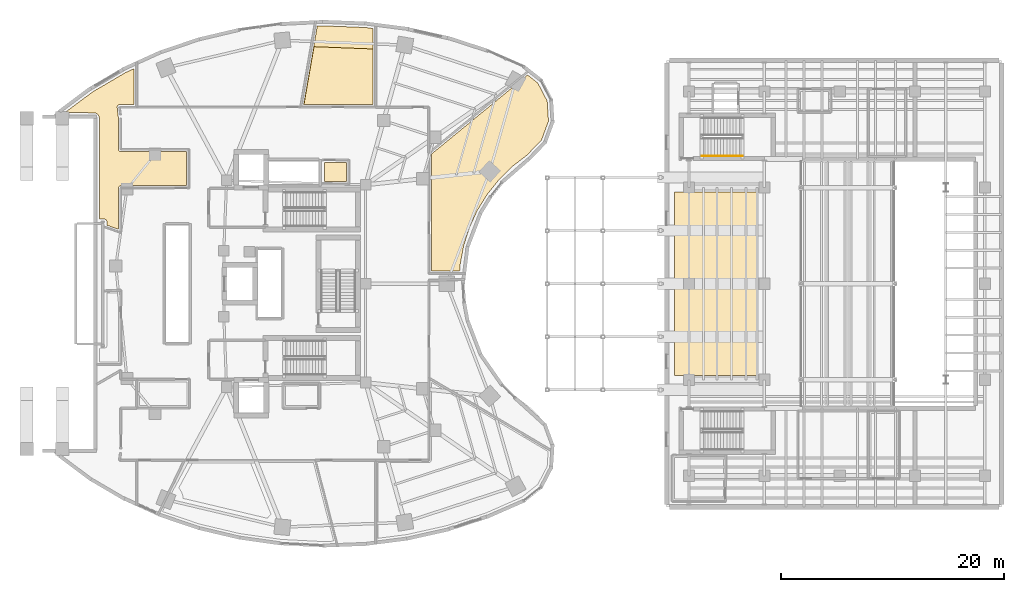
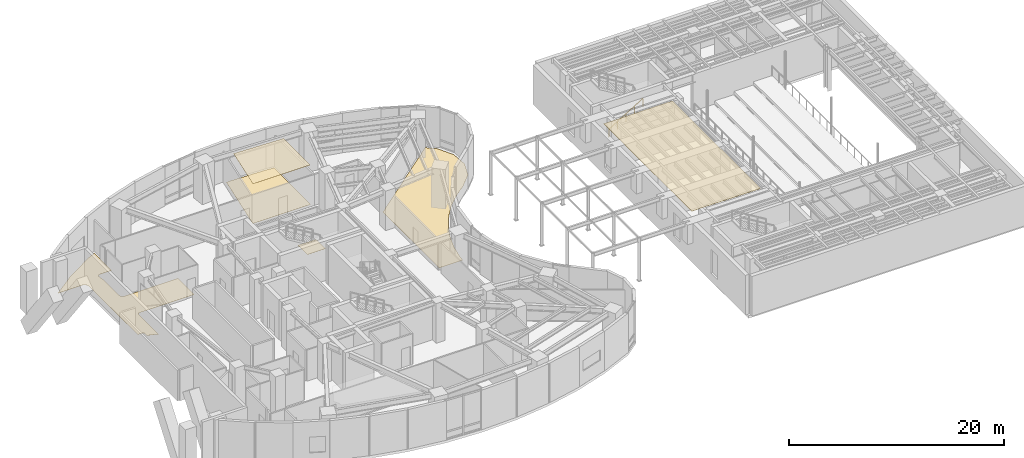
# One storey, part 23 of 24: 6 coverings, 1 railing.
"""IFC4 building model written with IfcOpenShell, lengths in metres."""

from ifc_helpers import new_model, si_unit, direction, frame, origin, origin_2d, place, context, subcontext, project, spatial, polyline, rectangle, outline, extrude, material, layer, layer_set, type_object, element, save


model = new_model("IFC4")

# Units and contexts
model_context = context("Model", 3, precision=1e-05, world=origin(), true_north=direction((0.0, 1.0)))
body_context = subcontext(model_context, "Body", "Model", "MODEL_VIEW")
ifc_project = project(units=[si_unit("LENGTHUNIT", "METRE"), si_unit("AREAUNIT", "SQUARE_METRE"), si_unit("VOLUMEUNIT", "CUBIC_METRE"), si_unit("PLANEANGLEUNIT", "RADIAN"), si_unit("MASSUNIT", "GRAM", prefix="KILO")], contexts=[model_context])

# Site, building, storey
site_placement = place(None, origin())
site = spatial("IfcSite", under=ifc_project, at=site_placement, CompositionType="ELEMENT")
building_placement = place(site_placement, origin())
building = spatial("IfcBuilding", under=site, at=building_placement, Name="Korentha Bioscience Tower", CompositionType="ELEMENT")
storey_placement = place(building_placement, frame((0.0, 0.0, 5.39990234375)))
storey = spatial("IfcBuildingStorey", under=building, at=storey_placement, Name="L01", CompositionType="ELEMENT", Elevation=5.39990234375)

# Covering
ifc_material_1 = material(Name="Vitrified Porcelain Tile", Category="ceramic")
ifc_layer_1 = layer(ifc_material_1, 0.014892578125, Name="Vitrified Porcelain Tile")
ifc_layer_set_1 = layer_set([ifc_layer_1], Name="Vitrified Porcelain Tile (FL-CER)")
covering_type_1 = type_object("IfcCoveringType", Name="Anti-Slip Ceramic Wet-Room Tile Flooring 15", PredefinedType="FLOORING", material=ifc_layer_set_1)
covering_1_placement = place(storey_placement, origin())
element("IfcCovering", 1, at=covering_1_placement, inside=storey, type_object=covering_type_1, Name="L01 Accessible Staff WC Floor Finish", PredefinedType="FLOORING", context=body_context, shape_type="SweptSolid", body=[
    extrude(outline(polyline([(33.8701171875, 36.1298828125), (33.8701171875, 37.8701171875), (35.830078125, 37.8701171875), (35.830078125, 36.1298828125), (33.8701171875, 36.1298828125)])), origin(), (0.0, 0.0, 1.0), 0.01513671875),
])

# Railing
ifc_material_2 = material(Name="Stainless Steel 304", Category="steel")
railing_type = type_object("IfcRailingType", Name="Brushed Stainless Stair Handrail 900", PredefinedType="HANDRAIL", material=ifc_material_2)
railing_placement = place(storey_placement, frame((67.64990234375, 38.449951171875, 0.171630859375)))
element("IfcRailing", 2, at=railing_placement, inside=storey, type_object=railing_type, Name="L01 ST-T2 stair handrail 1", PredefinedType="HANDRAIL", context=body_context, shape_type="SweptSolid", body=[
    extrude(rectangle(XDim=0.048095703125, YDim=0.048095703125, at=origin_2d()), frame((0.0, 0.0, 0.8759765625), z_axis=(0.852865859571, 0.0, 0.52213008492), x_axis=(0.0, 1.0, 0.0)), (0.0, 0.0, 1.0), 4.26806640625),
    extrude(rectangle(XDim=0.0419921875, YDim=0.0419921875, at=origin_2d()), origin(), (0.0, 0.0, 1.0), 0.851806640625),
    extrude(rectangle(XDim=0.0419921875, YDim=0.0419921875, at=origin_2d()), frame((0.91015625, 0.0, 0.55712890625)), (0.0, 0.0, 1.0), 0.851806640625),
    extrude(rectangle(XDim=0.0419921875, YDim=0.0419921875, at=origin_2d()), frame((1.820068359375, 0.0, 1.1142578125)), (0.0, 0.0, 1.0), 0.851806640625),
    extrude(rectangle(XDim=0.0419921875, YDim=0.0419921875, at=origin_2d()), frame((2.72998046875, 0.0, 1.67138671875)), (0.0, 0.0, 1.0), 0.851806640625),
    extrude(rectangle(XDim=0.0419921875, YDim=0.0419921875, at=origin_2d()), frame((3.64013671875, 0.0, 2.228515625)), (0.0, 0.0, 1.0), 0.851806640625),
])

# Coverings
ifc_material_3 = material(Name="Antimicrobial Mineral Fibre Board", Category="gypsum")
ifc_layer_2 = layer(ifc_material_3, 0.034912109375, Name="Antimicrobial Mineral Fibre Board")
ifc_layer_set_2 = layer_set([ifc_layer_2], Name="Antimicrobial Mineral Fibre Board (CL-MF35)")
covering_type_2 = type_object("IfcCoveringType", Name="Mineral-Fibre Cleanroom Suspended Ceiling 35", PredefinedType="CEILING", material=ifc_layer_set_2)
covering_2_placement = place(storey_placement, frame((0.0, 0.0, 4.465087890625)))
element("IfcCovering", 3, at=covering_2_placement, inside=storey, type_object=covering_type_2, Name="L01 Translational Symposium Lecture Room 11 Acoustic Ceiling", PredefinedType="CEILING", context=body_context, shape_type="SweptSolid", body=[
    extrude(outline(polyline([(32.02783203125, 43.06005859375), (32.927490234375, 48.22314453125), (38.19189453125, 48.0185546875), (38.19189453125, 43.06005859375), (32.02783203125, 43.06005859375)])), origin(), (0.0, 0.0, 1.0), 0.034912109375),
])
ifc_material_4 = material(Name="Perforated Powder-Coated Aluminium", Category="aluminium")
ifc_layer_3 = layer(ifc_material_4, 0.044921875, Name="Perforated Powder-Coated Aluminium")
ifc_layer_set_3 = layer_set([ifc_layer_3], Name="Perforated Powder-Coated Aluminium (CL-M45)")
covering_type_3 = type_object("IfcCoveringType", Name="Perforated Metal Laboratory Acoustic Ceiling 45", PredefinedType="CEILING", material=ifc_layer_set_3)
covering_3_placement = place(storey_placement, frame((0.0, 0.0, 4.455078125)))
element("IfcCovering", 4, at=covering_3_placement, inside=storey, type_object=covering_type_3, Name="L01 Acoustic Metal Baffle Ceiling", PredefinedType="CEILING", context=body_context, shape_type="SweptSolid", body=[
    extrude(outline(polyline([(65.199951171875, 18.800048828125), (72.60009765625, 18.800048828125), (72.60009765625, 35.199951171875), (65.199951171875, 35.199951171875), (65.199951171875, 18.800048828125)])), origin(), (0.0, 0.0, 1.0), 0.044921875),
])
ifc_material_5 = material(Name="Chemical-Resistant Epoxy Resin", Category="polymer")
ifc_layer_4 = layer(ifc_material_5, 0.011962890625, Name="Chemical-Resistant Epoxy Resin")
ifc_layer_set_4 = layer_set([ifc_layer_4], Name="Chemical-Resistant Epoxy Resin (FL-EPX)")
covering_type_4 = type_object("IfcCoveringType", Name="Seamless Epoxy Laboratory Flooring 12", PredefinedType="FLOORING", material=ifc_layer_set_4)
covering_4_placement = place(storey_placement, origin())
element("IfcCovering", 5, at=covering_4_placement, inside=storey, type_object=covering_type_4, Name="L01 Catering Warming Kitchen 09 Floor Finish", PredefinedType="FLOORING", context=body_context, shape_type="SweptSolid", body=[
    extrude(outline(polyline([(46.326904296875, 30.3955078125), (46.01318359375, 28.720947265625), (45.973388671875, 28.1220703125), (43.429931640625, 28.1220703125), (43.429931640625, 38.60009765625), (52.05712890625, 45.6943359375), (52.96630859375, 44.970458984375), (53.805419921875, 43.364501953125), (53.922607421875, 41.556396484375), (53.297607421875, 39.855712890625), (51.98876953125, 38.503173828125), (50.68212890625, 37.497314453125), (49.501708984375, 36.337646484375), (48.436279296875, 35.003662109375), (47.544189453125, 33.552490234375), (46.84130859375, 32.01611328125), (46.326904296875, 30.3955078125)])), origin(), (0.0, 0.0, 1.0), 0.01220703125),
])
covering_5_placement = place(storey_placement, origin())
element("IfcCovering", 6, at=covering_5_placement, inside=storey, type_object=covering_type_4, Name="L01 Translational Symposium Lecture Room 11 Floor Finish", PredefinedType="FLOORING", context=body_context, shape_type="SweptSolid", body=[
    extrude(outline(polyline([(38.221923828125, 49.852294921875), (38.221923828125, 43.030029296875), (31.9921875, 43.030029296875), (33.217529296875, 50.0615234375), (33.756103515625, 50.0888671875), (37.526611328125, 49.942138671875), (38.221923828125, 49.852294921875)])), origin(), (0.0, 0.0, 1.0), 0.01220703125),
])
covering_6_placement = place(storey_placement, origin())
element("IfcCovering", 7, at=covering_6_placement, inside=storey, type_object=covering_type_4, Name="L01 Industry Incubator Co-Working Studio 13 Floor Finish", PredefinedType="FLOORING", context=body_context, shape_type="SweptSolid", body=[
    extrude(outline(polyline([(13.095947265625, 44.173583984375), (16.045654296875, 45.90478515625), (16.822021484375, 46.257080078125), (16.822021484375, 43.030029296875), (15.48388671875, 43.02734375), (15.3603515625, 42.96728515625), (15.292724609375, 42.8466796875), (15.407470703125, 41.89697265625), (15.409912109375, 39.050048828125), (15.443115234375, 38.931396484375), (15.522216796875, 38.8525390625), (15.639892578125, 38.820068359375), (21.52001953125, 38.820068359375), (21.52001953125, 35.780029296875), (15.639892578125, 35.780029296875), (15.5419921875, 35.758056640625), (15.46923828125, 35.7041015625), (15.423583984375, 35.6279296875), (15.409912109375, 35.550048828125), (15.409912109375, 31.880615234375), (14.3798828125, 32.2333984375), (14.373291015625, 32.60546875), (14.33447265625, 32.6875), (14.248779296875, 32.7578125), (14.160888671875, 32.77978515625), (13.7099609375, 32.780029296875), (13.7099609375, 41.7998046875), (13.666748046875, 42.00537109375), (13.59423828125, 42.12353515625), (13.492431640625, 42.2177734375), (13.384765625, 42.275146484375), (13.25, 42.3076171875), (10.60400390625, 42.31005859375), (13.095947265625, 44.173583984375)])), origin(), (0.0, 0.0, 1.0), 0.01220703125),
])

save(model, "model.ifc")
